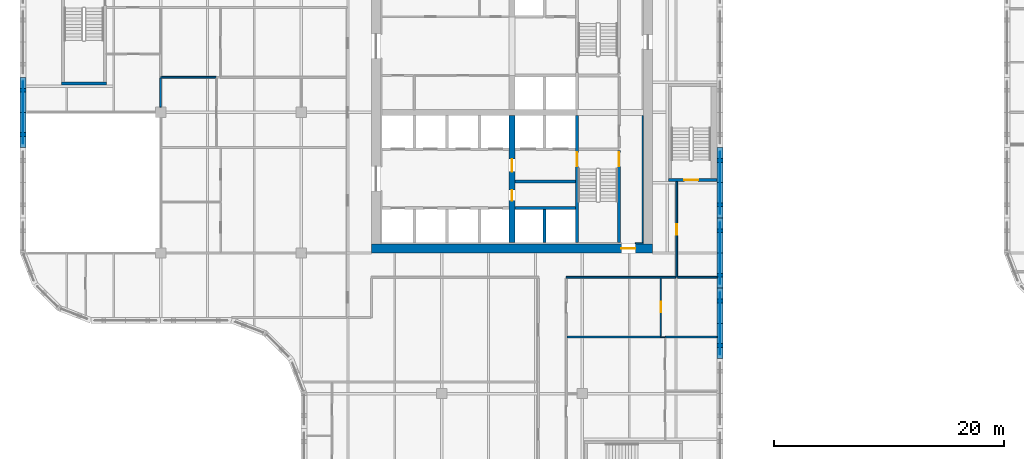
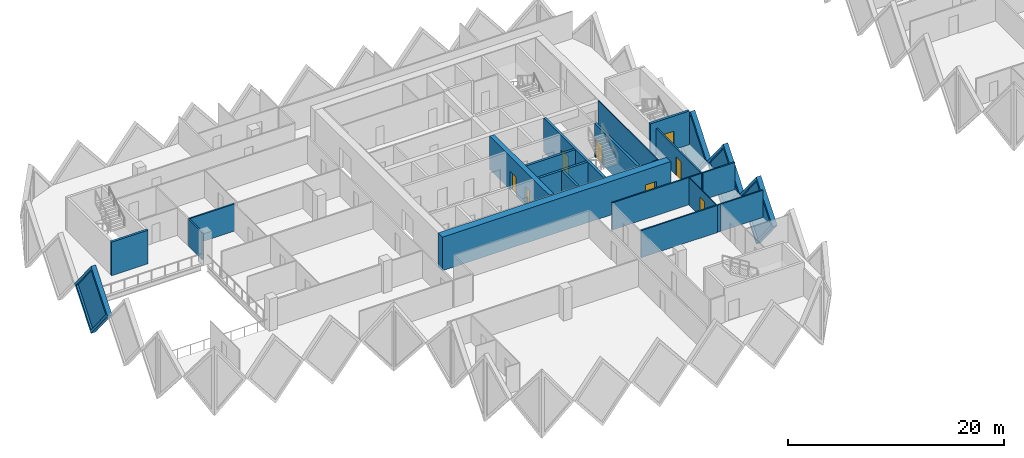
# One storey, part 7 of 19: 24 walls, 8 doors, 4 plates, 12 openings.
"""IFC4 building model written with IfcOpenShell, lengths in metres."""

from ifc_helpers import new_model, si_unit, direction, frame, frame_2d, origin, place, context, subcontext, project, spatial, polyline, rectangle, outline, extrude, faceted_brep, source, transform, mapped, material, layer, layer_set, type_object, element, fill, save


model = new_model("IFC4")

# Units and contexts
model_context = context("Model", 3, precision=1e-05, world=origin(), true_north=direction((0.0, 1.0)))
body_context = subcontext(model_context, "Body", "Model", "MODEL_VIEW")
ifc_project = project(units=[si_unit("LENGTHUNIT", "METRE"), si_unit("AREAUNIT", "SQUARE_METRE"), si_unit("VOLUMEUNIT", "CUBIC_METRE"), si_unit("PLANEANGLEUNIT", "RADIAN"), si_unit("MASSUNIT", "GRAM", prefix="KILO")], contexts=[model_context])

# Site, building, storey
site_placement = place(None, origin())
site = spatial("IfcSite", under=ifc_project, at=site_placement, CompositionType="ELEMENT")
building_placement = place(site_placement, origin())
building = spatial("IfcBuilding", under=site, at=building_placement, Name="Tessera Gate Towers", CompositionType="ELEMENT")
storey_placement = place(building_placement, frame((0.0, 0.0, 72.39990234375)))
storey = spatial("IfcBuildingStorey", under=building, at=storey_placement, Name="L17", CompositionType="ELEMENT", Elevation=72.39990234375)

# Wall, opening, door
ifc_material_1 = material(Name="Concrete C40/50", Category="concrete")
ifc_layer_1 = layer(ifc_material_1, 0.25)
ifc_layer_set_1 = layer_set([ifc_layer_1], Name="CORE ENCLOSURE WALL 250")
wall_type_1 = type_object("IfcWallType", Name="CORE ENCLOSURE WALL 250", PredefinedType="SOLIDWALL", material=ifc_layer_set_1)
wall_1_placement = place(storey_placement, frame((48.35009765625, 36.35009765625, 0.0), z_axis=(0.0, 0.0, 1.0), x_axis=(0.0, -1.0, 0.0)))
wall_1 = element("IfcWall", 1, at=wall_1_placement, inside=storey, type_object=wall_type_1, Name="L17 shaft and stair enclosure wall", PredefinedType="SOLIDWALL", context=body_context, shape_type="SweptSolid", body=[
    extrude(rectangle(XDim=11.050048828125, YDim=0.25, at=frame_2d((5.52490234375, 0.0))), origin(), (0.0, 0.0, 1.0), 3.800048828125),
])
shared_shape_1 = source(origin(), body_context, "Body", "SweptSolid", [
    extrude(rectangle(XDim=1.199951171875, YDim=2.10009765625, at=frame_2d((0.60009765625, 1.050048828125))), frame((0.0, 0.135009765625, 0.0), z_axis=(0.0, -1.0, 0.0), x_axis=(1.0, 0.0, 0.0)), (0.0, 0.0, 1.0), 0.27001953125),
])
opening_1_placement = place(wall_1_placement, frame((3.22509765625, 0.0, 0.0)))
opening_1 = element("IfcOpeningElement", 2, at=opening_1_placement, cuts=wall_1, Name="Opening SD-ST1-1", PredefinedType="OPENING", context=body_context, shape_type="MappedRepresentation", body=[
    mapped(shared_shape_1, transform((0.0, 0.0, 0.0), scale=1.0)),
])
ifc_material_2 = material(Name="Hollow steel fire door", Category="steel")
door_type_1 = type_object("IfcDoorType", Name="CORE DOOR SD 1200x2100", OperationType="NOTDEFINED", PredefinedType="DOOR", material=ifc_material_2)
shared_shape_2 = source(origin(), body_context, "Body", "SweptSolid", [
    extrude(rectangle(XDim=1.199951171875, YDim=2.10009765625, at=frame_2d((0.60009765625, 1.050048828125))), frame((0.0, 0.02490234375, 0.0), z_axis=(0.0, -1.0, 0.0), x_axis=(1.0, 0.0, 0.0)), (0.0, 0.0, 1.0), 0.050048828125),
])
door_1_placement = place(opening_1_placement, origin())
door_1 = element("IfcDoor", 3, at=door_1_placement, inside=storey, type_object=door_type_1, Name="Stair door", OperationType="SINGLE_SWING_LEFT", OverallHeight=2.10009765625, OverallWidth=1.199951171875, PredefinedType="DOOR", context=body_context, shape_type="MappedRepresentation", body=[
    mapped(shared_shape_2, transform((0.0, 0.0, 0.0), scale=1.0)),
])
fill(opening_1, door_1)

# Wall
wall_2_placement = place(storey_placement, frame((42.949951171875, 28.300048828125, 0.0), z_axis=(0.0, 0.0, 1.0), x_axis=(1.0, 0.0, 0.0)))
element("IfcWall", 4, at=wall_2_placement, inside=storey, type_object=wall_type_1, Name="L17 shaft and stair enclosure wall", PredefinedType="SOLIDWALL", context=body_context, shape_type="SweptSolid", body=[
    extrude(rectangle(XDim=5.275146484375, YDim=0.25, at=frame_2d((2.6376953125, 0.0))), origin(), (0.0, 0.0, 1.0), 3.800048828125),
])

# Wall, opening, door
wall_3_placement = place(storey_placement, frame((52.0, 25.300048828125, 0.0), z_axis=(0.0, 0.0, 1.0), x_axis=(0.0, 1.0, 0.0)))
wall_3 = element("IfcWall", 5, at=wall_3_placement, inside=storey, type_object=wall_type_1, Name="L17 shaft and stair enclosure wall", PredefinedType="SOLIDWALL", context=body_context, shape_type="SweptSolid", body=[
    extrude(rectangle(XDim=7.974853515625, YDim=0.25, at=frame_2d((3.9873046875, 0.0))), origin(), (0.0, 0.0, 1.0), 3.800048828125),
])
opening_2_placement = place(wall_3_placement, frame((6.625, 0.0, 0.0)))
opening_2 = element("IfcOpeningElement", 6, at=opening_2_placement, cuts=wall_3, Name="Opening SD-ST1-2", PredefinedType="OPENING", context=body_context, shape_type="MappedRepresentation", body=[
    mapped(shared_shape_1, transform((0.0, 0.0, 0.0), scale=1.0)),
])
door_2_placement = place(opening_2_placement, origin())
door_2 = element("IfcDoor", 7, at=door_2_placement, inside=storey, type_object=door_type_1, Name="Stair door", OperationType="SINGLE_SWING_RIGHT", OverallHeight=2.10009765625, OverallWidth=1.199951171875, PredefinedType="DOOR", context=body_context, shape_type="MappedRepresentation", body=[
    mapped(shared_shape_2, transform((0.0, 0.0, 0.0), scale=1.0)),
])
fill(opening_2, door_2)

# Walls
wall_4_placement = place(storey_placement, frame((42.949951171875, 30.60009765625, 0.0), z_axis=(0.0, 0.0, 1.0), x_axis=(1.0, 0.0, 0.0)))
element("IfcWall", 8, at=wall_4_placement, inside=storey, type_object=wall_type_1, Name="L17 shaft and stair enclosure wall", PredefinedType="SOLIDWALL", context=body_context, shape_type="SweptSolid", body=[
    extrude(rectangle(XDim=5.275146484375, YDim=0.25, at=frame_2d((2.6376953125, 0.0))), origin(), (0.0, 0.0, 1.0), 3.800048828125),
])
wall_5_placement = place(storey_placement, frame((45.52490234375, 25.300048828125, 0.0), z_axis=(0.0, 0.0, 1.0), x_axis=(0.0, 1.0, 0.0)))
element("IfcWall", 9, at=wall_5_placement, inside=storey, type_object=wall_type_1, Name="L17 shaft and stair enclosure wall", PredefinedType="SOLIDWALL", context=body_context, shape_type="SweptSolid", body=[
    extrude(rectangle(XDim=2.875, YDim=0.25, at=frame_2d((1.4375, 0.0))), origin(), (0.0, 0.0, 1.0), 3.800048828125),
])
wall_6_placement = place(storey_placement, frame((7.5, 39.125, 0.0), z_axis=(0.0, 0.0, 1.0), x_axis=(-1.0, 0.0, 0.0)))
element("IfcWall", 10, at=wall_6_placement, inside=storey, type_object=wall_type_1, Name="L17 ST3 enclosure wall", PredefinedType="SOLIDWALL", context=body_context, shape_type="SweptSolid", body=[
    extrude(rectangle(XDim=3.89990234375, YDim=0.25, at=frame_2d((1.949951171875, 0.0))), origin(), (0.0, 0.0, 1.0), 3.800048828125),
])

# Wall, opening, door
wall_7_placement = place(storey_placement, frame((60.5, 30.72509765625, 0.0), z_axis=(0.0, 0.0, 1.0), x_axis=(-1.0, 0.0, 0.0)))
wall_7 = element("IfcWall", 11, at=wall_7_placement, inside=storey, type_object=wall_type_1, Name="L17 ST5 enclosure wall", PredefinedType="SOLIDWALL", context=body_context, shape_type="SweptSolid", body=[
    extrude(rectangle(XDim=4.199951171875, YDim=0.25, at=frame_2d((2.10009765625, 0.0))), origin(), (0.0, 0.0, 1.0), 3.800048828125),
])
opening_3_placement = place(wall_7_placement, frame((1.64990234375, 0.0, 0.0)))
opening_3 = element("IfcOpeningElement", 12, at=opening_3_placement, cuts=wall_7, Name="Opening SD-ST5-1", PredefinedType="OPENING", context=body_context, shape_type="MappedRepresentation", body=[
    mapped(shared_shape_1, transform((0.0, 0.0, 0.0), scale=1.0)),
])
door_3_placement = place(opening_3_placement, origin())
door_3 = element("IfcDoor", 13, at=door_3_placement, inside=storey, type_object=door_type_1, Name="Stair door", OperationType="SINGLE_SWING_RIGHT", OverallHeight=2.10009765625, OverallWidth=1.199951171875, PredefinedType="DOOR", context=body_context, shape_type="MappedRepresentation", body=[
    mapped(shared_shape_2, transform((0.0, 0.0, 0.0), scale=1.0)),
])
fill(opening_3, door_3)

ifc_material_3 = material(Name="Concrete C60/75", Category="concrete")
ifc_layer_2 = layer(ifc_material_3, 0.800048828125)
ifc_layer_set_2 = layer_set([ifc_layer_2], Name="CORE SHEAR WALL 800 C60/75")
wall_type_2 = type_object("IfcWallType", Name="CORE SHEAR WALL 800 C60/75", PredefinedType="SHEAR", material=ifc_layer_set_2)
wall_8_placement = place(storey_placement, frame((54.89990234375, 24.800048828125, 0.0), z_axis=(0.0, 0.0, 1.0), x_axis=(-1.0, 0.0, 0.0)))
wall_8 = element("IfcWall", 14, at=wall_8_placement, inside=storey, type_object=wall_type_2, Name="Core wall S L17", PredefinedType="SHEAR", context=body_context, shape_type="SweptSolid", body=[
    extrude(rectangle(XDim=24.39990234375, YDim=0.800048828125, at=frame_2d((12.199951171875, 0.0))), origin(), (0.0, 0.0, 1.0), 3.800048828125),
])
shared_shape_3 = source(origin(), body_context, "Body", "SweptSolid", [
    extrude(rectangle(XDim=1.199951171875, YDim=2.10009765625, at=frame_2d((0.60009765625, 1.050048828125))), frame((0.0, 0.409912109375, 0.0), z_axis=(0.0, -1.0, 0.0), x_axis=(1.0, 0.0, 0.0)), (0.0, 0.0, 1.0), 0.820068359375),
])
opening_4_placement = place(wall_8_placement, frame((1.5, 0.0, 0.0)))
opening_4 = element("IfcOpeningElement", 15, at=opening_4_placement, cuts=wall_8, Name="Opening ED-T1-13-01", PredefinedType="OPENING", context=body_context, shape_type="MappedRepresentation", body=[
    mapped(shared_shape_3, transform((0.0, 0.0, 0.0), scale=1.0)),
])
ifc_material_4 = material(Name="Hollow steel fire door", Category="steel")
door_type_2 = type_object("IfcDoorType", Name="CORE DOOR ED 1200x2100", OperationType="NOTDEFINED", PredefinedType="DOOR", material=ifc_material_4)
door_4_placement = place(opening_4_placement, origin())
door_4 = element("IfcDoor", 16, at=door_4_placement, inside=storey, type_object=door_type_2, Name="Core exit door", OperationType="SINGLE_SWING_LEFT", OverallHeight=2.10009765625, OverallWidth=1.199951171875, PredefinedType="DOOR", context=body_context, shape_type="MappedRepresentation", body=[
    mapped(shared_shape_2, transform((0.0, 0.0, 0.0), scale=1.0)),
])
fill(opening_4, door_4)

# Wall, openings, doors
ifc_material_5 = material(Name="Concrete C60/75", Category="concrete")
ifc_layer_3 = layer(ifc_material_5, 0.5)
ifc_layer_set_3 = layer_set([ifc_layer_3], Name="CORE SPINE WALL 500 C60/75")
wall_type_3 = type_object("IfcWallType", Name="CORE SPINE WALL 500 C60/75", PredefinedType="SHEAR", material=ifc_layer_set_3)
wall_9_placement = place(storey_placement, frame((42.699951171875, 36.35009765625, 0.0), z_axis=(0.0, 0.0, 1.0), x_axis=(0.0, -1.0, 0.0)))
wall_9 = element("IfcWall", 17, at=wall_9_placement, inside=storey, type_object=wall_type_3, Name="Core wall spine L17", PredefinedType="SHEAR", context=body_context, shape_type="SweptSolid", body=[
    extrude(rectangle(XDim=11.050048828125, YDim=0.5, at=frame_2d((5.52490234375, 0.0))), origin(), (0.0, 0.0, 1.0), 3.800048828125),
])
shared_shape_4 = source(origin(), body_context, "Body", "SweptSolid", [
    extrude(rectangle(XDim=0.89990234375, YDim=2.10009765625, at=frame_2d((0.449951171875, 1.050048828125))), frame((0.0, 0.260009765625, 0.0), z_axis=(0.0, -1.0, 0.0), x_axis=(1.0, 0.0, 0.0)), (0.0, 0.0, 1.0), 0.52001953125),
])
opening_5_placement = place(wall_9_placement, frame((6.5, 0.0, 0.0)))
opening_5 = element("IfcOpeningElement", 18, at=opening_5_placement, cuts=wall_9, Name="Opening RD-T1-13-05", PredefinedType="OPENING", context=body_context, shape_type="MappedRepresentation", body=[
    mapped(shared_shape_4, transform((0.0, 0.0, 0.0), scale=1.0)),
])
shared_shape_5 = source(origin(), body_context, "Body", "SweptSolid", [
    extrude(rectangle(XDim=1.10009765625, YDim=2.10009765625, at=frame_2d((0.550048828125, 1.050048828125))), frame((0.0, 0.260009765625, 0.0), z_axis=(0.0, -1.0, 0.0), x_axis=(1.0, 0.0, 0.0)), (0.0, 0.0, 1.0), 0.52001953125),
])
opening_6_placement = place(wall_9_placement, frame((3.800048828125, 0.0, 0.0)))
opening_6 = element("IfcOpeningElement", 19, at=opening_6_placement, cuts=wall_9, Name="Opening FD-T1-13-06", PredefinedType="OPENING", context=body_context, shape_type="MappedRepresentation", body=[
    mapped(shared_shape_5, transform((0.0, 0.0, 0.0), scale=1.0)),
])
ifc_material_6 = material(Name="Hollow steel fire door", Category="steel")
door_type_3 = type_object("IfcDoorType", Name="CORE DOOR RD 900x2100", OperationType="NOTDEFINED", PredefinedType="DOOR", material=ifc_material_6)
shared_shape_6 = source(origin(), body_context, "Body", "SweptSolid", [
    extrude(rectangle(XDim=0.89990234375, YDim=2.10009765625, at=frame_2d((0.449951171875, 1.050048828125))), frame((0.0, 0.02490234375, 0.0), z_axis=(0.0, -1.0, 0.0), x_axis=(1.0, 0.0, 0.0)), (0.0, 0.0, 1.0), 0.050048828125),
])
door_5_placement = place(opening_5_placement, origin())
door_5 = element("IfcDoor", 20, at=door_5_placement, inside=storey, type_object=door_type_3, Name="Core room door", OperationType="SINGLE_SWING_RIGHT", OverallHeight=2.10009765625, OverallWidth=0.89990234375, PredefinedType="DOOR", context=body_context, shape_type="MappedRepresentation", body=[
    mapped(shared_shape_6, transform((0.0, 0.0, 0.0), scale=1.0)),
])
fill(opening_5, door_5)
ifc_material_7 = material(Name="Hollow steel fire door", Category="steel")
door_type_4 = type_object("IfcDoorType", Name="CORE DOOR FD 1100x2100", OperationType="NOTDEFINED", PredefinedType="DOOR", material=ifc_material_7)
shared_shape_7 = source(origin(), body_context, "Body", "SweptSolid", [
    extrude(rectangle(XDim=1.10009765625, YDim=2.10009765625, at=frame_2d((0.550048828125, 1.050048828125))), frame((0.0, 0.02490234375, 0.0), z_axis=(0.0, -1.0, 0.0), x_axis=(1.0, 0.0, 0.0)), (0.0, 0.0, 1.0), 0.050048828125),
])
door_6_placement = place(opening_6_placement, origin())
door_6 = element("IfcDoor", 21, at=door_6_placement, inside=storey, type_object=door_type_4, Name="Fire-fighting lobby door", OperationType="SINGLE_SWING_LEFT", OverallHeight=2.10009765625, OverallWidth=1.10009765625, PredefinedType="DOOR", context=body_context, shape_type="MappedRepresentation", body=[
    mapped(shared_shape_7, transform((0.0, 0.0, 0.0), scale=1.0)),
])
fill(opening_6, door_6)

# Walls
ifc_material_8 = material(Name="Concrete C60/75", Category="concrete")
ifc_layer_4 = layer(ifc_material_8, 0.10009765625)
ifc_layer_set_4 = layer_set([ifc_layer_4], Name="CORE WALL THICKENING 100")
wall_type_4 = type_object("IfcWallType", Name="CORE WALL THICKENING 100", PredefinedType="SOLIDWALL", material=ifc_layer_set_4)
wall_10_placement = place(storey_placement, frame((53.39990234375, 25.25, 0.0), z_axis=(0.0, 0.0, 1.0), x_axis=(1.0, 0.0, 0.0)))
element("IfcWall", 22, at=wall_10_placement, inside=storey, type_object=wall_type_4, Name="Core wall thickening S L17", PredefinedType="SOLIDWALL", context=body_context, shape_type="SweptSolid", body=[
    extrude(rectangle(XDim=0.7001953125, YDim=0.10009765625, at=frame_2d((0.35009765625, 0.0))), origin(), (0.0, 0.0, 1.0), 3.800048828125),
])
wall_11_placement = place(storey_placement, frame((54.050048828125, 25.300048828125, 0.0), z_axis=(0.0, 0.0, 1.0), x_axis=(0.0, 1.0, 0.0)))
element("IfcWall", 23, at=wall_11_placement, inside=storey, type_object=wall_type_4, Name="Core wall thickening E L17", PredefinedType="SOLIDWALL", context=body_context, shape_type="SweptSolid", body=[
    extrude(rectangle(XDim=11.02001953125, YDim=0.10009765625, at=frame_2d((5.510009765625, 0.0))), origin(), (0.0, 0.0, 1.0), 3.800048828125),
])
ifc_material_9 = material(Name="Gypsum board on steel studs, mineral wool", Category="steel")
ifc_layer_5 = layer(ifc_material_9, 0.14990234375)
ifc_layer_set_5 = layer_set([ifc_layer_5], Name="CORRIDOR WALL 150")
wall_type_5 = type_object("IfcWallType", Name="CORRIDOR WALL 150", PredefinedType="PARTITIONING", material=ifc_layer_set_5)
wall_12_placement = place(storey_placement, frame((47.39990234375, 22.300048828125, 0.0), z_axis=(0.0, 0.0, 1.0), x_axis=(1.0, 0.0, 0.0)))
element("IfcWall", 24, at=wall_12_placement, inside=storey, type_object=wall_type_5, Name="T1-L17-PW-023", PredefinedType="PARTITIONING", context=body_context, shape_type="SweptSolid", body=[
    extrude(rectangle(XDim=9.524169921875, YDim=0.14990234375, at=frame_2d((4.76220703125, 0.0))), origin(), (0.0, 0.0, 1.0), 3.067138671875),
])

# Wall, opening, door
wall_13_placement = place(storey_placement, frame((57.0, 30.60009765625, 0.0), z_axis=(0.0, 0.0, 1.0), x_axis=(0.0, -1.0, 0.0)))
wall_13 = element("IfcWall", 25, at=wall_13_placement, inside=storey, type_object=wall_type_5, Name="T1-L17-PW-024", PredefinedType="PARTITIONING", context=body_context, shape_type="SweptSolid", body=[
    extrude(rectangle(XDim=8.300048828125, YDim=0.14990234375, at=frame_2d((4.14990234375, 0.0))), origin(), (0.0, 0.0, 1.0), 3.067138671875),
])
shared_shape_8 = source(origin(), body_context, "Body", "SweptSolid", [
    extrude(rectangle(XDim=0.89990234375, YDim=2.10009765625, at=frame_2d((0.449951171875, 1.050048828125))), frame((0.0, 0.0849609375, 0.0), z_axis=(0.0, -1.0, 0.0), x_axis=(1.0, 0.0, 0.0)), (0.0, 0.0, 1.0), 0.169921875),
])
opening_7_placement = place(wall_13_placement, frame((3.699951171875, 0.0, 0.0)))
opening_7 = element("IfcOpeningElement", 26, at=opening_7_placement, cuts=wall_13, Name="Opening D890FD60-A06-05", PredefinedType="OPENING", context=body_context, shape_type="MappedRepresentation", body=[
    mapped(shared_shape_8, transform((0.0, 0.0, 0.0), scale=1.0)),
])
ifc_material_10 = material(Name="Timber door leaf in steel frame", Category="steel")
door_type_5 = type_object("IfcDoorType", Name="CORRIDOR DOOR 900 FD60", OperationType="NOTDEFINED", PredefinedType="DOOR", material=ifc_material_10)
door_7_placement = place(opening_7_placement, origin())
door_7 = element("IfcDoor", 27, at=door_7_placement, inside=storey, type_object=door_type_5, Name="T1-L17-PD-019", OperationType="SINGLE_SWING_RIGHT", OverallHeight=2.10009765625, OverallWidth=0.89990234375, PredefinedType="DOOR", context=body_context, shape_type="MappedRepresentation", body=[
    mapped(shared_shape_6, transform((0.0, 0.0, 0.0), scale=1.0)),
])
fill(opening_7, door_7)

# Wall
ifc_material_11 = material(Name="Glass", Category="glass")
ifc_layer_6 = layer(ifc_material_11, 0.10009765625)
ifc_layer_set_6 = layer_set([ifc_layer_6], Name="GLAZED PARTITION 100")
wall_type_6 = type_object("IfcWallType", Name="GLAZED PARTITION 100", PredefinedType="PARTITIONING", material=ifc_layer_set_6)
wall_14_placement = place(storey_placement, frame((55.615966796875, 17.10009765625, 0.0), z_axis=(0.0, 0.0, 1.0), x_axis=(1.0, 0.0, 0.0)))
element("IfcWall", 28, at=wall_14_placement, inside=storey, type_object=wall_type_6, Name="T1-L17-PW-014", PredefinedType="PARTITIONING", context=body_context, shape_type="SweptSolid", body=[
    extrude(rectangle(XDim=0.373046875, YDim=0.10009765625, at=frame_2d((0.1865234375, 0.0))), origin(), (0.0, 0.0, 1.0), 3.067138671875),
])

# Wall, opening, door
wall_15_placement = place(storey_placement, frame((55.614990234375, 22.22412109375, 0.0), z_axis=(0.0, 0.0, 1.0), x_axis=(0.0, -1.0, 0.0)))
wall_15 = element("IfcWall", 29, at=wall_15_placement, inside=storey, type_object=wall_type_6, Name="T1-L17-PW-016", PredefinedType="PARTITIONING", context=body_context, shape_type="SweptSolid", body=[
    extrude(rectangle(XDim=5.048095703125, YDim=0.10009765625, at=frame_2d((2.52392578125, 0.0))), origin(), (0.0, 0.0, 1.0), 3.067138671875),
])
shared_shape_9 = source(origin(), body_context, "Body", "SweptSolid", [
    extrude(rectangle(XDim=0.89990234375, YDim=2.10009765625, at=frame_2d((0.449951171875, 1.050048828125))), frame((0.0, 0.06005859375, 0.0), z_axis=(0.0, -1.0, 0.0), x_axis=(1.0, 0.0, 0.0)), (0.0, 0.0, 1.0), 0.1201171875),
])
opening_8_placement = place(wall_15_placement, frame((2.048095703125, 0.0, 0.0)))
opening_8 = element("IfcOpeningElement", 30, at=opening_8_placement, cuts=wall_15, Name="Opening D690-A06-04", PredefinedType="OPENING", context=body_context, shape_type="MappedRepresentation", body=[
    mapped(shared_shape_9, transform((0.0, 0.0, 0.0), scale=1.0)),
])
ifc_material_12 = material(Name="Glass in aluminium frame", Category="aluminium")
door_type_6 = type_object("IfcDoorType", Name="GLAZED DOOR 900 NOT RATED", OperationType="NOTDEFINED", PredefinedType="DOOR", material=ifc_material_12)
door_8_placement = place(opening_8_placement, origin())
door_8 = element("IfcDoor", 31, at=door_8_placement, inside=storey, type_object=door_type_6, Name="T1-L17-PD-011", OperationType="SINGLE_SWING_RIGHT", OverallHeight=2.10009765625, OverallWidth=0.89990234375, PredefinedType="DOOR", context=body_context, shape_type="MappedRepresentation", body=[
    mapped(shared_shape_6, transform((0.0, 0.0, 0.0), scale=1.0)),
])
fill(opening_8, door_8)

# Walls
ifc_material_13 = material(Name="Gypsum board on steel studs, mineral wool", Category="steel")
ifc_layer_7 = layer(ifc_material_13, 0.14990234375)
ifc_layer_set_7 = layer_set([ifc_layer_7], Name="TENANCY WALL 150")
wall_type_7 = type_object("IfcWallType", Name="TENANCY WALL 150", PredefinedType="PARTITIONING", material=ifc_layer_set_7)
wall_16_placement = place(storey_placement, frame((47.47607421875, 17.10009765625, 0.0), z_axis=(0.0, 0.0, 1.0), x_axis=(1.0, 0.0, 0.0)))
element("IfcWall", 32, at=wall_16_placement, inside=storey, type_object=wall_type_7, Name="T1-L17-PW-013", PredefinedType="PARTITIONING", context=body_context, shape_type="SweptSolid", body=[
    extrude(rectangle(XDim=8.138916015625, YDim=0.14990234375, at=frame_2d((4.0693359375, 0.0))), origin(), (0.0, 0.0, 1.0), 3.067138671875),
])
wall_17_placement = place(storey_placement, frame((55.989990234375, 17.10009765625, 0.0), z_axis=(0.0, 0.0, 1.0), x_axis=(1.0, 0.0, 0.0)))
element("IfcWall", 33, at=wall_17_placement, inside=storey, type_object=wall_type_7, Name="T1-L17-PW-015", PredefinedType="PARTITIONING", context=body_context, shape_type="SweptSolid", body=[
    extrude(rectangle(XDim=4.510009765625, YDim=0.14990234375, at=frame_2d((2.2548828125, 0.0))), origin(), (0.0, 0.0, 1.0), 3.067138671875),
])
wall_18_placement = place(storey_placement, frame((57.075927734375, 22.300048828125, 0.0), z_axis=(0.0, 0.0, 1.0), x_axis=(1.0, 0.0, 0.0)))
element("IfcWall", 34, at=wall_18_placement, inside=storey, type_object=wall_type_7, Name="T1-L17-PW-025", PredefinedType="PARTITIONING", context=body_context, shape_type="SweptSolid", body=[
    extrude(rectangle(XDim=3.424072265625, YDim=0.14990234375, at=frame_2d((1.7119140625, 0.0))), origin(), (0.0, 0.0, 1.0), 3.067138671875),
])
wall_19_placement = place(storey_placement, frame((12.199951171875, 37.051025390625, 0.0), z_axis=(0.0, 0.0, 1.0), x_axis=(0.0, 1.0, 0.0)))
element("IfcWall", 35, at=wall_19_placement, inside=storey, type_object=wall_type_7, Name="T1-L17-PW-033", PredefinedType="PARTITIONING", context=body_context, shape_type="SweptSolid", body=[
    extrude(rectangle(XDim=2.52294921875, YDim=0.14990234375, at=frame_2d((1.261474609375, 0.0))), origin(), (0.0, 0.0, 1.0), 3.067138671875),
])
wall_20_placement = place(storey_placement, frame((12.199951171875, 39.64990234375, 0.0), z_axis=(0.0, 0.0, 1.0), x_axis=(1.0, 0.0, 0.0)))
element("IfcWall", 36, at=wall_20_placement, inside=storey, type_object=wall_type_7, Name="T1-L17-PW-035", PredefinedType="PARTITIONING", context=body_context, shape_type="SweptSolid", body=[
    extrude(rectangle(XDim=4.85009765625, YDim=0.14990234375, at=frame_2d((2.425048828125, 0.0))), origin(), (0.0, 0.0, 1.0), 3.067138671875),
])

# Wall, opening, plate
ifc_material_14 = material(Name="Precast concrete C60/75 white", Category="concrete")
ifc_layer_8 = layer(ifc_material_14, 0.5)
ifc_layer_set_8 = layer_set([ifc_layer_8], Name="TS1 tessera")
wall_type_8 = type_object("IfcWallType", Name="TS1 tessera", PredefinedType="SOLIDWALL", material=ifc_layer_set_8)
shared_shape_10 = source(origin(), body_context, "Body", "Brep", [
    faceted_brep([(3.050048828125, -0.25, 0.0), (6.099853515625, -0.25, 3.799560546875), (6.099853515625, -0.25, 3.800048828125), (3.050048828125, -0.25, 7.599853515625), (0.0, -0.25, 3.7998046875), (0.0, 0.25, 3.7998046875), (3.050048828125, 0.25, 7.599853515625), (6.099853515625, 0.25, 3.800048828125), (6.099853515625, 0.25, 3.799560546875), (3.050048828125, 0.25, 0.0)], [[[0, 1, 2, 3, 4]], [[5, 6, 7, 8, 9]], [[9, 8, 1, 0]], [[7, 6, 3, 2]], [[6, 5, 4, 3]], [[5, 9, 0, 4]], [[1, 8, 7, 2]]]),
])
wall_21_placement = place(storey_placement, frame((60.75, 21.35009765625, -3.7998046875), z_axis=(0.0, 0.0, 1.0), x_axis=(0.0, 1.0, 0.0)))
wall_21 = element("IfcWall", 37, at=wall_21_placement, inside=storey, type_object=wall_type_8, Name="Precast tessera T1 TS1-0236", PredefinedType="SOLIDWALL", context=body_context, shape_type="MappedRepresentation", body=[
    mapped(shared_shape_10, transform((0.0, 0.0, 0.0), scale=1.0)),
])
shared_shape_11 = source(origin(), body_context, "Body", "SweptSolid", [
    extrude(outline(polyline([(3.050048828125, 0.3994140625), (5.779541015625, 3.7998046875), (3.050048828125, 7.200439453125), (0.320556640625, 3.7998046875), (3.050048828125, 0.3994140625)])), frame((0.0, 0.260009765625, 0.0), z_axis=(0.0, -1.0, 0.0), x_axis=(1.0, 0.0, 0.0)), (0.0, 0.0, 1.0), 0.52001953125),
])
opening_9_placement = place(wall_21_placement, origin())
opening_9 = element("IfcOpeningElement", 38, at=opening_9_placement, cuts=wall_21, Name="Opening T1-PL2-0480", PredefinedType="OPENING", context=body_context, shape_type="MappedRepresentation", body=[
    mapped(shared_shape_11, transform((0.0, 0.0, 0.0), scale=1.0)),
])
ifc_material_15 = material(Name="Low-e laminated glass", Category="glass")
ifc_layer_9 = layer(ifc_material_15, 0.06005859375)
ifc_layer_set_9 = layer_set([ifc_layer_9], Name="PL2 rhombic pane")
plate_type = type_object("IfcPlateType", Name="PL2 rhombic pane", PredefinedType="SHEET", material=ifc_layer_set_9)
shared_shape_12 = source(origin(), body_context, "Body", "SweptSolid", [
    extrude(outline(polyline([(3.050048828125, 0.3994140625), (5.779541015625, 3.7998046875), (3.050048828125, 7.200439453125), (0.320556640625, 3.7998046875), (3.050048828125, 0.3994140625)])), frame((0.0, 0.030029296875, 0.0), z_axis=(0.0, -1.0, 0.0), x_axis=(1.0, 0.0, 0.0)), (0.0, 0.0, 1.0), 0.06005859375),
])
plate_1_placement = place(opening_9_placement, origin())
plate_1 = element("IfcPlate", 39, at=plate_1_placement, inside=storey, type_object=plate_type, Name="Glass pane T1 PL2-0480", PredefinedType="SHEET", context=body_context, shape_type="MappedRepresentation", body=[
    mapped(shared_shape_12, transform((0.0, 0.0, 0.0), scale=1.0)),
])
fill(opening_9, plate_1)

wall_22_placement = place(storey_placement, frame((0.25, 39.64990234375, -3.7998046875), z_axis=(0.0, 0.0, 1.0), x_axis=(0.0, -1.0, 0.0)))
wall_22 = element("IfcWall", 40, at=wall_22_placement, inside=storey, type_object=wall_type_8, Name="Precast tessera T1 TS1-0249", PredefinedType="SOLIDWALL", context=body_context, shape_type="MappedRepresentation", body=[
    mapped(shared_shape_10, transform((0.0, 0.0, 0.0), scale=1.0)),
])
opening_10_placement = place(wall_22_placement, origin())
opening_10 = element("IfcOpeningElement", 41, at=opening_10_placement, cuts=wall_22, Name="Opening T1-PL2-0501", PredefinedType="OPENING", context=body_context, shape_type="MappedRepresentation", body=[
    mapped(shared_shape_11, transform((0.0, 0.0, 0.0), scale=1.0)),
])
plate_2_placement = place(opening_10_placement, origin())
plate_2 = element("IfcPlate", 42, at=plate_2_placement, inside=storey, type_object=plate_type, Name="Glass pane T1 PL2-0501", PredefinedType="SHEET", context=body_context, shape_type="MappedRepresentation", body=[
    mapped(shared_shape_12, transform((0.0, 0.0, 0.0), scale=1.0)),
])
fill(opening_10, plate_2)

shared_shape_13 = source(origin(), body_context, "Body", "SweptSolid", [
    extrude(outline(polyline([(3.050048828125, 0.0), (6.10009765625, 3.7998046875), (3.050048828125, 7.599853515625), (0.0, 3.7998046875), (3.050048828125, 0.0)])), frame((0.0, 0.25, 0.0), z_axis=(0.0, -1.0, 0.0), x_axis=(1.0, 0.0, 0.0)), (0.0, 0.0, 1.0), 0.5),
])
wall_23_placement = place(storey_placement, frame((60.75, 15.25, -3.7998046875), z_axis=(0.0, 0.0, 1.0), x_axis=(0.0, 1.0, 0.0)))
wall_23 = element("IfcWall", 43, at=wall_23_placement, inside=storey, type_object=wall_type_8, Name="Precast tessera T1 TS1-0235", PredefinedType="SOLIDWALL", context=body_context, shape_type="MappedRepresentation", body=[
    mapped(shared_shape_13, transform((0.0, 0.0, 0.0), scale=1.0)),
])
opening_11_placement = place(wall_23_placement, origin())
opening_11 = element("IfcOpeningElement", 44, at=opening_11_placement, cuts=wall_23, Name="Opening T1-PL2-0479", PredefinedType="OPENING", context=body_context, shape_type="MappedRepresentation", body=[
    mapped(shared_shape_11, transform((0.0, 0.0, 0.0), scale=1.0)),
])
plate_3_placement = place(opening_11_placement, origin())
plate_3 = element("IfcPlate", 45, at=plate_3_placement, inside=storey, type_object=plate_type, Name="Glass pane T1 PL2-0479", PredefinedType="SHEET", context=body_context, shape_type="MappedRepresentation", body=[
    mapped(shared_shape_12, transform((0.0, 0.0, 0.0), scale=1.0)),
])
fill(opening_11, plate_3)

wall_24_placement = place(storey_placement, frame((60.75, 27.449951171875, -3.7998046875), z_axis=(0.0, 0.0, 1.0), x_axis=(0.0, 1.0, 0.0)))
wall_24 = element("IfcWall", 46, at=wall_24_placement, inside=storey, type_object=wall_type_8, Name="Precast tessera T1 TS1-0237", PredefinedType="SOLIDWALL", context=body_context, shape_type="MappedRepresentation", body=[
    mapped(shared_shape_13, transform((0.0, 0.0, 0.0), scale=1.0)),
])
opening_12_placement = place(wall_24_placement, origin())
opening_12 = element("IfcOpeningElement", 47, at=opening_12_placement, cuts=wall_24, Name="Opening T1-PL2-0481", PredefinedType="OPENING", context=body_context, shape_type="MappedRepresentation", body=[
    mapped(shared_shape_11, transform((0.0, 0.0, 0.0), scale=1.0)),
])
plate_4_placement = place(opening_12_placement, origin())
plate_4 = element("IfcPlate", 48, at=plate_4_placement, inside=storey, type_object=plate_type, Name="Glass pane T1 PL2-0481", PredefinedType="SHEET", context=body_context, shape_type="MappedRepresentation", body=[
    mapped(shared_shape_12, transform((0.0, 0.0, 0.0), scale=1.0)),
])
fill(opening_12, plate_4)

save(model, "model.ifc")
